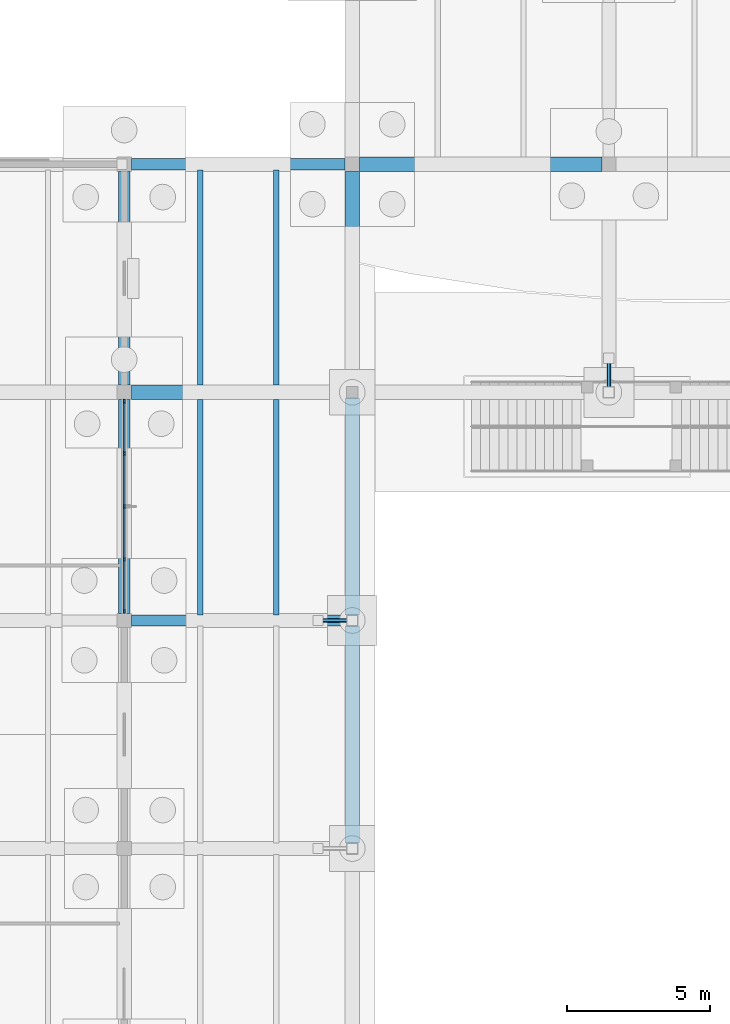
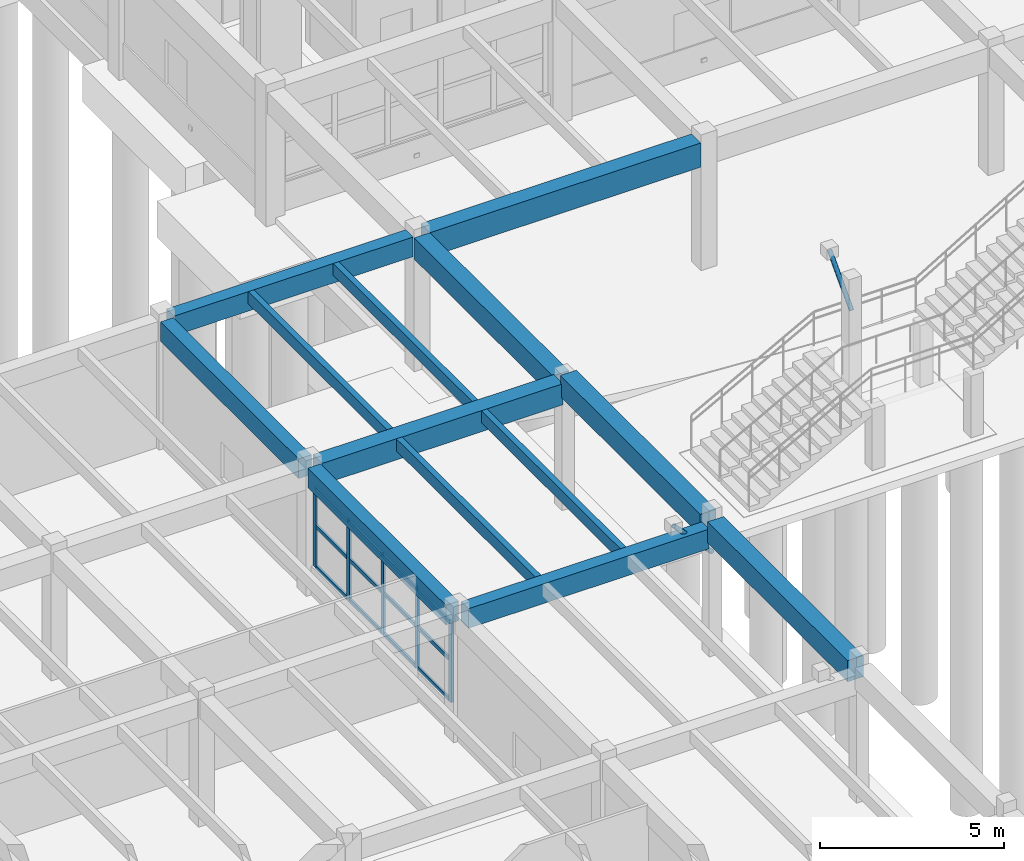
# One storey, part 28 of 99: 19 members, 13 beams, 1 element without a shape of its own.
"""IFC4 building model written with IfcOpenShell, lengths in metres."""

from ifc_helpers import new_model, si_unit, direction, frame, origin, origin_2d, place, context, subcontext, project, spatial, rectangle, hollow_circle, extrude, material, layer, layer_set, material_profile, profile_set, type_object, element, aggregate, save


model = new_model("IFC4")

# Units and contexts
model_context = context("Model", 3, precision=1e-05, world=origin(), true_north=direction((0.0, 1.0)))
body_context = subcontext(model_context, "Body", "Model", "MODEL_VIEW")
ifc_project = project(units=[si_unit("LENGTHUNIT", "METRE"), si_unit("AREAUNIT", "SQUARE_METRE"), si_unit("VOLUMEUNIT", "CUBIC_METRE"), si_unit("PLANEANGLEUNIT", "RADIAN"), si_unit("MASSUNIT", "GRAM", prefix="KILO")], contexts=[model_context])

# Site, building, storey
site_placement = place(None, origin())
site = spatial("IfcSite", under=ifc_project, at=site_placement, CompositionType="ELEMENT")
building_placement = place(site_placement, origin())
building = spatial("IfcBuilding", under=site, at=building_placement, Name="Tonlespit Floodbar School", CompositionType="ELEMENT")
storey_placement = place(building_placement, origin())
storey = spatial("IfcBuildingStorey", under=building, at=storey_placement, Name="L00", CompositionType="ELEMENT", Elevation=0.0)

# Beams
ifc_material_1 = material(Name="Concrete C40/50", Category="concrete")
ifc_material_profile_1 = material_profile(ifc_material_1, rectangle(XDim=0.39990234375, YDim=0.64990234375, at=origin_2d()), Name="RC 400x650")
ifc_profile_set_1 = profile_set([ifc_material_profile_1], Name="Concrete C40/50")
beam_type_1 = type_object("IfcBeamType", Name="Beam_RC_400x650", PredefinedType="BEAM", material=ifc_profile_set_1)
beam_1_placement = place(storey_placement, frame((36.25, 80.0, 3.9150390625), z_axis=(1.0, 0.0, 0.0), x_axis=(0.0, 1.0, 0.0)))
element("IfcBeam", 1, at=beam_1_placement, inside=storey, type_object=beam_type_1, Name="L00 girder 0083", PredefinedType="BEAM", context=body_context, shape_type="SweptSolid", body=[
    extrude(rectangle(XDim=0.39990234375, YDim=0.64990234375, at=origin_2d()), origin(), (0.0, 0.0, 1.0), 7.550048828125),
])
for number, where, z_axis, x_axis, name in (
    (2, (36.25, 96.0, 3.9150390625), (1.0, 0.0, 0.0), (0.0, 1.0, 0.0), "L00 girder 0111"),
    (3, (36.0, 80.25, 3.9150390625), (0.0, 1.0, 0.0), (-1.0, 0.0, 0.0), "L00 girder 0219"),
    (4, (36.0, 88.25, 3.9150390625), (0.0, 1.0, 0.0), (-1.0, 0.0, 0.0), "L00 girder 0220"),
):
    element("IfcBeam", number, at=place(storey_placement, frame(where, z_axis=z_axis, x_axis=x_axis)), inside=storey, type_object=beam_type_1, Name=name, PredefinedType="BEAM", context=body_context, shape_type="SweptSolid", body=[
        extrude(rectangle(XDim=0.39990234375, YDim=0.64990234375, at=origin_2d()), origin(), (0.0, 0.0, 1.0), 7.5),
    ])
ifc_material_profile_2 = material_profile(ifc_material_1, rectangle(XDim=0.5, YDim=0.800048828125, at=origin_2d()), Name="RC 500x800")
ifc_profile_set_2 = profile_set([ifc_material_profile_2], Name="Concrete C40/50")
beam_type_2 = type_object("IfcBeamType", Name="Beam_RC_500x800", PredefinedType="BEAM", material=ifc_profile_set_2)
beam_2_placement = place(storey_placement, frame((44.25, 96.0, 3.840087890625), z_axis=(1.0, 0.0, 0.0), x_axis=(0.0, 1.0, 0.0)))
element("IfcBeam", 5, at=beam_2_placement, inside=storey, type_object=beam_type_2, Name="L00 girder 0112", PredefinedType="BEAM", context=body_context, shape_type="SweptSolid", body=[
    extrude(rectangle(XDim=0.5, YDim=0.800048828125, at=origin_2d()), origin(), (0.0, 0.0, 1.0), 8.5),
])

# Curtain wall, members
ifc_material_2 = material(Name="Anodised Aluminium", Category="aluminium")
ifc_layer = layer(ifc_material_2, 0.159912109375)
ifc_layer_set = layer_set([ifc_layer], Name="Anodised Aluminium")
curtain_wall_type = type_object("IfcCurtainWallType", Name="CurtainWall_7400x2650", PredefinedType="NOTDEFINED", material=ifc_layer_set)
curtain_wall_placement = place(storey_placement, origin())
curtain_wall = element("IfcCurtainWall", 6, at=curtain_wall_placement, inside=storey, type_object=curtain_wall_type, Name="L00 unitised curtain wall 0266", PredefinedType="NOTDEFINED")
ifc_material_profile_3 = material_profile(ifc_material_2, rectangle(XDim=0.06494140625, YDim=0.14990234375, at=origin_2d()), Name="ALU M65x150")
ifc_profile_set_3 = profile_set([ifc_material_profile_3], Name="Anodised Aluminium")
member_type_1 = type_object("IfcMemberType", Name="CW_Mullion_65x150", PredefinedType="MULLION", material=ifc_profile_set_3)
member_1_placement = place(storey_placement, frame((36.0, 87.677490234375, 0.949951171875), z_axis=(0.0, 0.0, 1.0), x_axis=(1.0, 0.0, 0.0)))
member_1 = element("IfcMember", 7, at=member_1_placement, type_object=member_type_1, Name="CW-34 mullion 1", PredefinedType="MULLION", context=body_context, shape_type="SweptSolid", body=[
    extrude(rectangle(XDim=0.06494140625, YDim=0.14990234375, at=origin_2d()), origin(), (0.0, 0.0, 1.0), 2.64013671875),
])
member_2_placement = place(storey_placement, frame((36.0, 85.85498046875, 0.949951171875), z_axis=(0.0, 0.0, 1.0), x_axis=(1.0, 0.0, 0.0)))
member_2 = element("IfcMember", 8, at=member_2_placement, type_object=member_type_1, Name="CW-34 mullion 2", PredefinedType="MULLION", context=body_context, shape_type="SweptSolid", body=[
    extrude(rectangle(XDim=0.06494140625, YDim=0.14990234375, at=origin_2d()), origin(), (0.0, 0.0, 1.0), 2.64013671875),
])
member_3_placement = place(storey_placement, frame((36.0, 84.0, 0.949951171875), z_axis=(0.0, 0.0, 1.0), x_axis=(1.0, 0.0, 0.0)))
member_3 = element("IfcMember", 9, at=member_3_placement, type_object=member_type_1, Name="CW-34 mullion 3", PredefinedType="MULLION", context=body_context, shape_type="SweptSolid", body=[
    extrude(rectangle(XDim=0.06494140625, YDim=0.14990234375, at=origin_2d()), origin(), (0.0, 0.0, 1.0), 2.64013671875),
])
member_4_placement = place(storey_placement, frame((36.0, 82.14501953125, 0.949951171875), z_axis=(0.0, 0.0, 1.0), x_axis=(1.0, 0.0, 0.0)))
member_4 = element("IfcMember", 10, at=member_4_placement, type_object=member_type_1, Name="CW-34 mullion 4", PredefinedType="MULLION", context=body_context, shape_type="SweptSolid", body=[
    extrude(rectangle(XDim=0.06494140625, YDim=0.14990234375, at=origin_2d()), origin(), (0.0, 0.0, 1.0), 2.64013671875),
])
member_5_placement = place(storey_placement, frame((36.0, 80.322509765625, 0.949951171875), z_axis=(0.0, 0.0, 1.0), x_axis=(1.0, 0.0, 0.0)))
member_5 = element("IfcMember", 11, at=member_5_placement, type_object=member_type_1, Name="CW-34 mullion 5", PredefinedType="MULLION", context=body_context, shape_type="SweptSolid", body=[
    extrude(rectangle(XDim=0.06494140625, YDim=0.14990234375, at=origin_2d()), origin(), (0.0, 0.0, 1.0), 2.64013671875),
])
ifc_material_profile_4 = material_profile(ifc_material_2, rectangle(XDim=0.06494140625, YDim=0.1201171875, at=origin_2d()), Name="ALU T65x120")
ifc_profile_set_4 = profile_set([ifc_material_profile_4], Name="Anodised Aluminium")
member_type_2 = type_object("IfcMemberType", Name="CW_Transom_65x120", PredefinedType="USERDEFINED", material=ifc_profile_set_4)
member_6_placement = place(storey_placement, frame((36.0, 87.64501953125, 0.982421875), z_axis=(0.0, -1.0, 0.0), x_axis=(1.0, 0.0, 0.0)))
member_6 = element("IfcMember", 12, at=member_6_placement, type_object=member_type_2, Name="CW-34 transom 1.1", ObjectType="TRANSOM", PredefinedType="USERDEFINED", context=body_context, shape_type="SweptSolid", body=[
    extrude(rectangle(XDim=0.06494140625, YDim=0.1201171875, at=origin_2d()), origin(), (0.0, 0.0, 1.0), 1.757568359375),
])
member_7_placement = place(storey_placement, frame((36.0, 87.64501953125, 2.32275390625), z_axis=(0.0, -1.0, 0.0), x_axis=(1.0, 0.0, 0.0)))
member_7 = element("IfcMember", 13, at=member_7_placement, type_object=member_type_2, Name="CW-34 transom 1.2", ObjectType="TRANSOM", PredefinedType="USERDEFINED", context=body_context, shape_type="SweptSolid", body=[
    extrude(rectangle(XDim=0.06494140625, YDim=0.1201171875, at=origin_2d()), origin(), (0.0, 0.0, 1.0), 1.757568359375),
])
member_8_placement = place(storey_placement, frame((36.0, 87.64501953125, 3.5576171875), z_axis=(0.0, -1.0, 0.0), x_axis=(1.0, 0.0, 0.0)))
member_8 = element("IfcMember", 14, at=member_8_placement, type_object=member_type_2, Name="CW-34 transom 1.3", ObjectType="TRANSOM", PredefinedType="USERDEFINED", context=body_context, shape_type="SweptSolid", body=[
    extrude(rectangle(XDim=0.06494140625, YDim=0.1201171875, at=origin_2d()), origin(), (0.0, 0.0, 1.0), 1.757568359375),
])
member_9_placement = place(storey_placement, frame((36.0, 85.822509765625, 0.982421875), z_axis=(0.0, -1.0, 0.0), x_axis=(1.0, 0.0, 0.0)))
member_9 = element("IfcMember", 15, at=member_9_placement, type_object=member_type_2, Name="CW-34 transom 2.1", ObjectType="TRANSOM", PredefinedType="USERDEFINED", context=body_context, shape_type="SweptSolid", body=[
    extrude(rectangle(XDim=0.06494140625, YDim=0.1201171875, at=origin_2d()), origin(), (0.0, 0.0, 1.0), 1.7900390625),
])
member_10_placement = place(storey_placement, frame((36.0, 85.822509765625, 2.32275390625), z_axis=(0.0, -1.0, 0.0), x_axis=(1.0, 0.0, 0.0)))
member_10 = element("IfcMember", 16, at=member_10_placement, type_object=member_type_2, Name="CW-34 transom 2.2", ObjectType="TRANSOM", PredefinedType="USERDEFINED", context=body_context, shape_type="SweptSolid", body=[
    extrude(rectangle(XDim=0.06494140625, YDim=0.1201171875, at=origin_2d()), origin(), (0.0, 0.0, 1.0), 1.7900390625),
])
member_11_placement = place(storey_placement, frame((36.0, 85.822509765625, 3.5576171875), z_axis=(0.0, -1.0, 0.0), x_axis=(1.0, 0.0, 0.0)))
member_11 = element("IfcMember", 17, at=member_11_placement, type_object=member_type_2, Name="CW-34 transom 2.3", ObjectType="TRANSOM", PredefinedType="USERDEFINED", context=body_context, shape_type="SweptSolid", body=[
    extrude(rectangle(XDim=0.06494140625, YDim=0.1201171875, at=origin_2d()), origin(), (0.0, 0.0, 1.0), 1.7900390625),
])
member_12_placement = place(storey_placement, frame((36.0, 83.967529296875, 0.982421875), z_axis=(0.0, -1.0, 0.0), x_axis=(1.0, 0.0, 0.0)))
member_12 = element("IfcMember", 18, at=member_12_placement, type_object=member_type_2, Name="CW-34 transom 3.1", ObjectType="TRANSOM", PredefinedType="USERDEFINED", context=body_context, shape_type="SweptSolid", body=[
    extrude(rectangle(XDim=0.06494140625, YDim=0.1201171875, at=origin_2d()), origin(), (0.0, 0.0, 1.0), 1.7900390625),
])
member_13_placement = place(storey_placement, frame((36.0, 83.967529296875, 2.32275390625), z_axis=(0.0, -1.0, 0.0), x_axis=(1.0, 0.0, 0.0)))
member_13 = element("IfcMember", 19, at=member_13_placement, type_object=member_type_2, Name="CW-34 transom 3.2", ObjectType="TRANSOM", PredefinedType="USERDEFINED", context=body_context, shape_type="SweptSolid", body=[
    extrude(rectangle(XDim=0.06494140625, YDim=0.1201171875, at=origin_2d()), origin(), (0.0, 0.0, 1.0), 1.7900390625),
])
member_14_placement = place(storey_placement, frame((36.0, 83.967529296875, 3.5576171875), z_axis=(0.0, -1.0, 0.0), x_axis=(1.0, 0.0, 0.0)))
member_14 = element("IfcMember", 20, at=member_14_placement, type_object=member_type_2, Name="CW-34 transom 3.3", ObjectType="TRANSOM", PredefinedType="USERDEFINED", context=body_context, shape_type="SweptSolid", body=[
    extrude(rectangle(XDim=0.06494140625, YDim=0.1201171875, at=origin_2d()), origin(), (0.0, 0.0, 1.0), 1.7900390625),
])
member_15_placement = place(storey_placement, frame((36.0, 82.112548828125, 0.982421875), z_axis=(0.0, -1.0, 0.0), x_axis=(1.0, 0.0, 0.0)))
member_15 = element("IfcMember", 21, at=member_15_placement, type_object=member_type_2, Name="CW-34 transom 4.1", ObjectType="TRANSOM", PredefinedType="USERDEFINED", context=body_context, shape_type="SweptSolid", body=[
    extrude(rectangle(XDim=0.06494140625, YDim=0.1201171875, at=origin_2d()), origin(), (0.0, 0.0, 1.0), 1.757568359375),
])
member_16_placement = place(storey_placement, frame((36.0, 82.112548828125, 2.32275390625), z_axis=(0.0, -1.0, 0.0), x_axis=(1.0, 0.0, 0.0)))
member_16 = element("IfcMember", 22, at=member_16_placement, type_object=member_type_2, Name="CW-34 transom 4.2", ObjectType="TRANSOM", PredefinedType="USERDEFINED", context=body_context, shape_type="SweptSolid", body=[
    extrude(rectangle(XDim=0.06494140625, YDim=0.1201171875, at=origin_2d()), origin(), (0.0, 0.0, 1.0), 1.757568359375),
])
member_17_placement = place(storey_placement, frame((36.0, 82.112548828125, 3.5576171875), z_axis=(0.0, -1.0, 0.0), x_axis=(1.0, 0.0, 0.0)))
member_17 = element("IfcMember", 23, at=member_17_placement, type_object=member_type_2, Name="CW-34 transom 4.3", ObjectType="TRANSOM", PredefinedType="USERDEFINED", context=body_context, shape_type="SweptSolid", body=[
    extrude(rectangle(XDim=0.06494140625, YDim=0.1201171875, at=origin_2d()), origin(), (0.0, 0.0, 1.0), 1.757568359375),
])
aggregate(curtain_wall, [member_1, member_2, member_3, member_4, member_5, member_6, member_7, member_8, member_9, member_10, member_11, member_12, member_13, member_14, member_15, member_16, member_17])

# Beams
ifc_material_3 = material(Name="Glulam GL28h", Category="wood")
ifc_material_profile_5 = material_profile(ifc_material_3, rectangle(XDim=0.179931640625, YDim=0.39990234375, at=origin_2d()), Name="GL 180x400")
ifc_profile_set_5 = profile_set([ifc_material_profile_5], Name="Glulam GL28h")
beam_type_3 = type_object("IfcBeamType", Name="Joist_GL_180x400", PredefinedType="JOIST", material=ifc_profile_set_5)
for number, where, z_axis, x_axis, name in (
    (24, (38.666748046875, 80.199951171875, 4.0400390625), (0.0, 1.0, 0.0), (-1.0, 0.0, 0.0), "L00 secondary joist 0462"),
    (25, (41.333251953125, 80.199951171875, 4.0400390625), (0.0, 1.0, 0.0), (-1.0, 0.0, 0.0), "L00 secondary joist 0463"),
    (26, (38.666748046875, 88.25, 4.0400390625), (0.0, 1.0, 0.0), (-1.0, 0.0, 0.0), "L00 secondary joist 0470"),
    (27, (41.333251953125, 88.25, 4.0400390625), (0.0, 1.0, 0.0), (-1.0, 0.0, 0.0), "L00 secondary joist 0471"),
):
    element("IfcBeam", number, at=place(storey_placement, frame(where, z_axis=z_axis, x_axis=x_axis)), inside=storey, type_object=beam_type_3, Name=name, PredefinedType="JOIST", context=body_context, shape_type="SweptSolid", body=[
        extrude(rectangle(XDim=0.179931640625, YDim=0.39990234375, at=origin_2d()), origin(), (0.0, 0.0, 1.0), 7.550048828125),
    ])
ifc_material_profile_6 = material_profile(ifc_material_1, rectangle(XDim=0.5, YDim=0.699951171875, at=origin_2d()), Name="RC 500x700")
ifc_profile_set_6 = profile_set([ifc_material_profile_6], Name="Concrete C40/50")
beam_type_4 = type_object("IfcBeamType", Name="Spandrel_RC_500x700", PredefinedType="SPANDREL", material=ifc_profile_set_6)
beam_3_placement = place(storey_placement, frame((36.25, 88.0, 3.889892578125), z_axis=(1.0, 0.0, 0.0), x_axis=(0.0, 1.0, 0.0)))
element("IfcBeam", 28, at=beam_3_placement, inside=storey, type_object=beam_type_4, Name="L00 girder 0095", PredefinedType="SPANDREL", context=body_context, shape_type="SweptSolid", body=[
    extrude(rectangle(XDim=0.5, YDim=0.699951171875, at=origin_2d()), origin(), (0.0, 0.0, 1.0), 7.550048828125),
])
for number, where, z_axis, x_axis, name in (
    (29, (44.0, 72.199951171875, 4.14990234375), (0.0, 1.0, 0.0), (-1.0, 0.0, 0.0), "L00 girder 0230"),
    (30, (44.0, 80.199951171875, 4.14990234375), (0.0, 1.0, 0.0), (-1.0, 0.0, 0.0), "L00 girder 0231"),
):
    element("IfcBeam", number, at=place(storey_placement, frame(where, z_axis=z_axis, x_axis=x_axis)), inside=storey, type_object=beam_type_4, Name=name, PredefinedType="SPANDREL", context=body_context, shape_type="SweptSolid", body=[
        extrude(rectangle(XDim=0.5, YDim=0.699951171875, at=origin_2d()), origin(), (0.0, 0.0, 1.0), 7.60009765625),
    ])
beam_4_placement = place(storey_placement, frame((44.0, 88.199951171875, 3.889892578125), z_axis=(0.0, 1.0, 0.0), x_axis=(-1.0, 0.0, 0.0)))
element("IfcBeam", 31, at=beam_4_placement, inside=storey, type_object=beam_type_4, Name="L00 girder 0232", PredefinedType="SPANDREL", context=body_context, shape_type="SweptSolid", body=[
    extrude(rectangle(XDim=0.5, YDim=0.699951171875, at=origin_2d()), origin(), (0.0, 0.0, 1.0), 7.550048828125),
])

# Members
ifc_material_4 = material(Name="Steel S355", Category="steel")
ifc_material_profile_7 = material_profile(ifc_material_4, hollow_circle(Radius=0.06982421875, WallThickness=0.00634765625, at=origin_2d()), Name="CHS 139.7x6.3")
ifc_profile_set_7 = profile_set([ifc_material_profile_7], Name="Steel S355")
member_type_3 = type_object("IfcMemberType", Name="Strut_STL_CHS139", PredefinedType="STRUT", material=ifc_profile_set_7)
for number, where, z_axis, x_axis, name in (
    (32, (44.0, 80.0, 3.300048828125), (-0.68391798523, 0.0, 0.729558900623), (0.0, -1.0, 0.0), "West colonnade canopy strut 7"),
    (33, (53.0, 88.0, 3.300048828125), (0.0, 0.68391798523, 0.729558900623), (-1.0, 0.0, 0.0), "North colonnade canopy strut 8"),
):
    element("IfcMember", number, at=place(storey_placement, frame(where, z_axis=z_axis, x_axis=x_axis)), inside=storey, type_object=member_type_3, Name=name, PredefinedType="STRUT", context=body_context, shape_type="SweptSolid", body=[
        extrude(hollow_circle(Radius=0.06982421875, WallThickness=0.00634765625, at=origin_2d()), origin(), (0.0, 0.0, 1.0), 1.754638671875),
    ])

save(model, "model.ifc")
